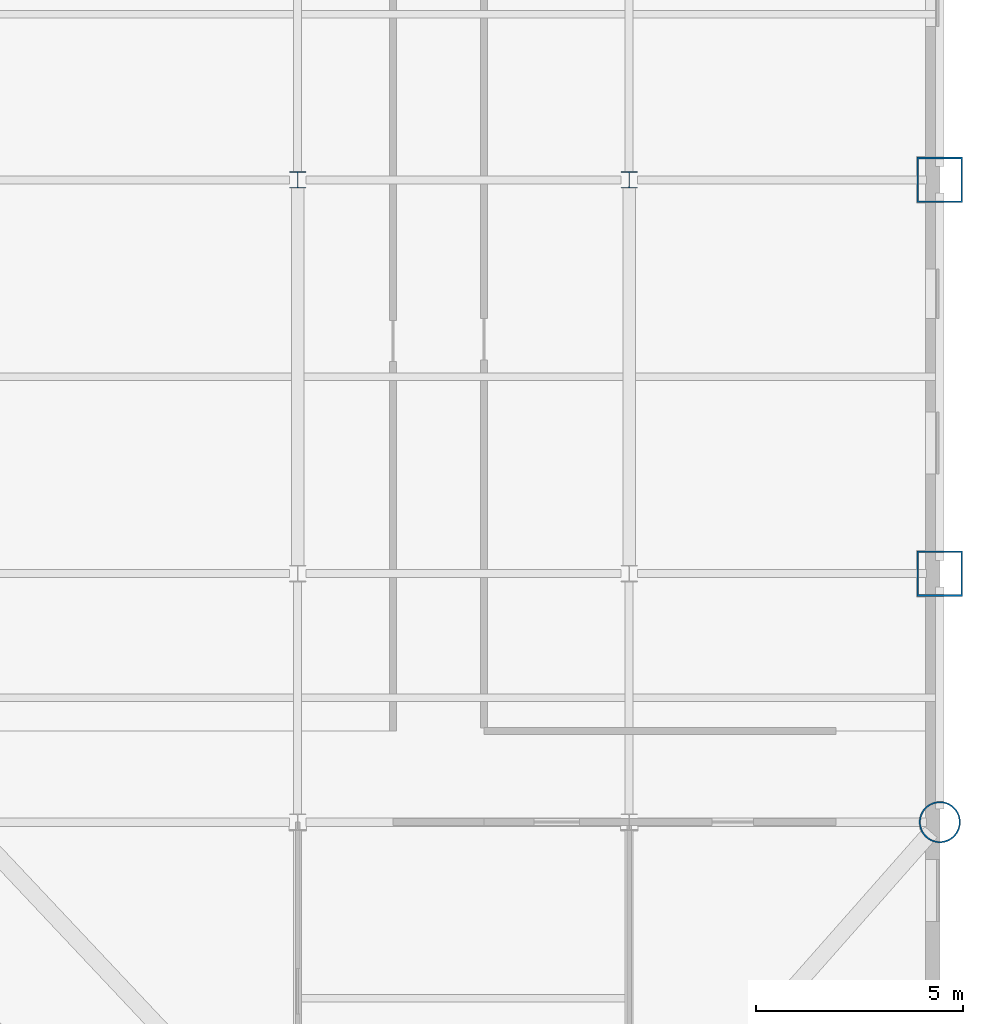
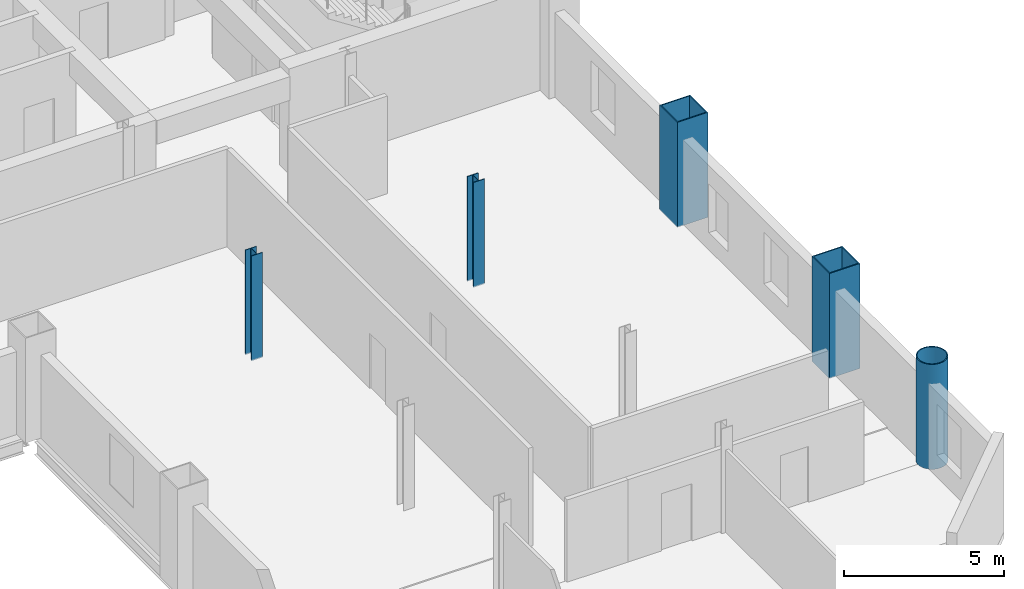
# One storey, part 2 of 10: 5 columns.
"""IFC4 building model written with IfcOpenShell, lengths in metres."""

from ifc_helpers import new_model, si_unit, direction, frame, origin, origin_2d, place, context, subcontext, project, spatial, hollow_rectangle, hollow_circle, i_section, extrude, material, material_profile, profile_set, type_object, element, save


model = new_model("IFC4")

# Units and contexts
model_context = context("Model", 3, precision=1e-05, world=origin(), true_north=direction((0.0, 1.0)))
body_context = subcontext(model_context, "Body", "Model", "MODEL_VIEW")
ifc_project = project(units=[si_unit("LENGTHUNIT", "METRE"), si_unit("AREAUNIT", "SQUARE_METRE"), si_unit("VOLUMEUNIT", "CUBIC_METRE"), si_unit("PLANEANGLEUNIT", "RADIAN"), si_unit("MASSUNIT", "GRAM", prefix="KILO")], contexts=[model_context])

# Site, building, storey
site_placement = place(None, origin())
site = spatial("IfcSite", under=ifc_project, at=site_placement, CompositionType="ELEMENT")
building_placement = place(site_placement, origin())
building = spatial("IfcBuilding", under=site, at=building_placement, Name="Qianrong Seaharbour Tower", CompositionType="ELEMENT")
storey_placement = place(building_placement, frame((0.0, 0.0, 139.0)))
storey = spatial("IfcBuildingStorey", under=building, at=storey_placement, Name="L33", CompositionType="ELEMENT", Elevation=139.0)

# Columns
ifc_material = material(Name="Structural steel SN490B", Category="steel")
ifc_material_profile_1 = material_profile(ifc_material, hollow_rectangle(XDim=1.10009765625, YDim=1.10009765625, WallThickness=0.0400390625, at=origin_2d()), Name="BOX1100x1100x40")
ifc_profile_set_1 = profile_set([ifc_material_profile_1], Name="Structural steel SN490B")
column_type_1 = type_object("IfcColumnType", Name="COL-CFT-1100", PredefinedType="COLUMN", material=ifc_profile_set_1)
for number, where, z_axis, x_axis, name in (
    (1, (64.0, 18.5, 0.0), (0.0, 0.0, 1.0), (1.0, 0.0, 0.0), "L33 Column MC-3 at G9/GD"),
    (2, (64.0, 28.0, 0.0), (0.0, 0.0, 1.0), (1.0, 0.0, 0.0), "L33 Column MC-3 at G9/GE"),
):
    element("IfcColumn", number, at=place(storey_placement, frame(where, z_axis=z_axis, x_axis=x_axis)), inside=storey, type_object=column_type_1, Name=name, PredefinedType="COLUMN", context=body_context, shape_type="SweptSolid", body=[
        extrude(hollow_rectangle(XDim=1.10009765625, YDim=1.10009765625, WallThickness=0.0400390625, at=origin_2d()), origin(), (0.0, 0.0, 1.0), 4.0),
    ])
ifc_material_profile_2 = material_profile(ifc_material, hollow_circle(Radius=0.5, WallThickness=0.035888671875, at=origin_2d()), Name="CHS1000x36")
ifc_profile_set_2 = profile_set([ifc_material_profile_2], Name="Structural steel SN490B")
column_type_2 = type_object("IfcColumnType", Name="COL-CHS-1000", PredefinedType="COLUMN", material=ifc_profile_set_2)
column_placement = place(storey_placement, frame((64.0, 12.5, 0.0), z_axis=(0.0, 0.0, 1.0), x_axis=(1.0, 0.0, 0.0)))
element("IfcColumn", 3, at=column_placement, inside=storey, type_object=column_type_2, Name="L33 Column CC-2 at G9/GC", PredefinedType="COLUMN", context=body_context, shape_type="SweptSolid", body=[
    extrude(hollow_circle(Radius=0.5, WallThickness=0.035888671875, at=origin_2d()), origin(), (0.0, 0.0, 1.0), 4.0),
])
ifc_material_profile_3 = material_profile(ifc_material, i_section(OverallWidth=0.39990234375, OverallDepth=0.39990234375, WebThickness=0.012939453125, FlangeThickness=0.02099609375, FilletRadius=0.02197265625, at=origin_2d()), Name="H400x400x13x21")
ifc_profile_set_3 = profile_set([ifc_material_profile_3], Name="Structural steel SN490B")
column_type_3 = type_object("IfcColumnType", Name="COL-INT-H400", PredefinedType="COLUMN", material=ifc_profile_set_3)
for number, where, z_axis, x_axis, name in (
    (4, (48.5, 28.0, 0.0), (0.0, 0.0, 1.0), (1.0, 0.0, 0.0), "L33 Column IC-3 at G7/GE"),
    (5, (56.5, 28.0, 0.0), (0.0, 0.0, 1.0), (1.0, 0.0, 0.0), "L33 Column IC-3 at G8/GE"),
):
    element("IfcColumn", number, at=place(storey_placement, frame(where, z_axis=z_axis, x_axis=x_axis)), inside=storey, type_object=column_type_3, Name=name, PredefinedType="COLUMN", context=body_context, shape_type="SweptSolid", body=[
        extrude(i_section(OverallWidth=0.39990234375, OverallDepth=0.39990234375, WebThickness=0.012939453125, FlangeThickness=0.02099609375, FilletRadius=0.02197265625, at=origin_2d()), origin(), (0.0, 0.0, 1.0), 4.0),
    ])

save(model, "model.ifc")
